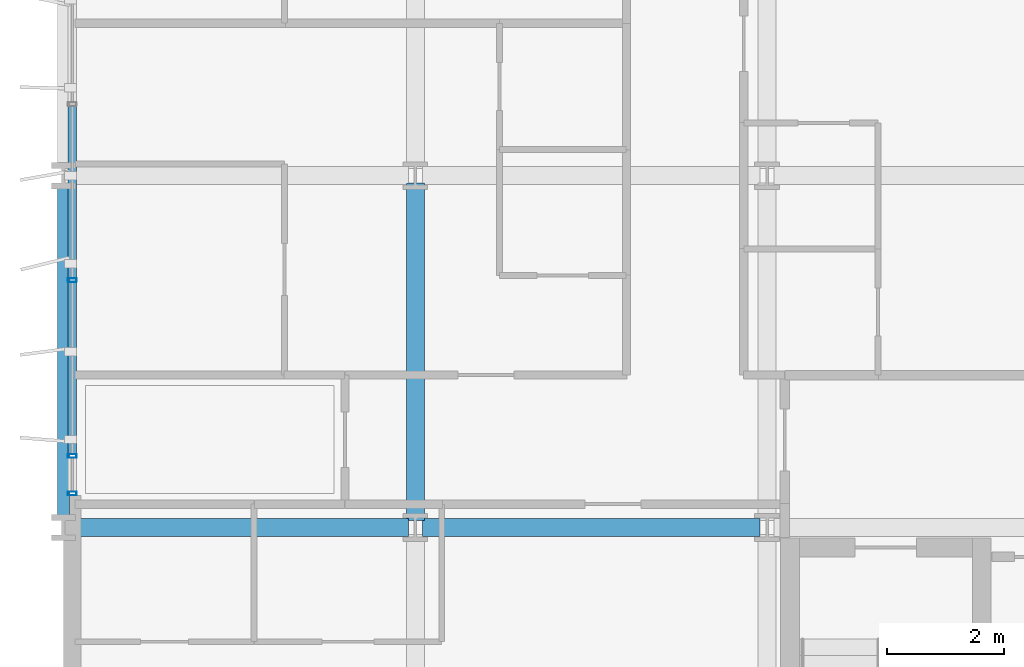
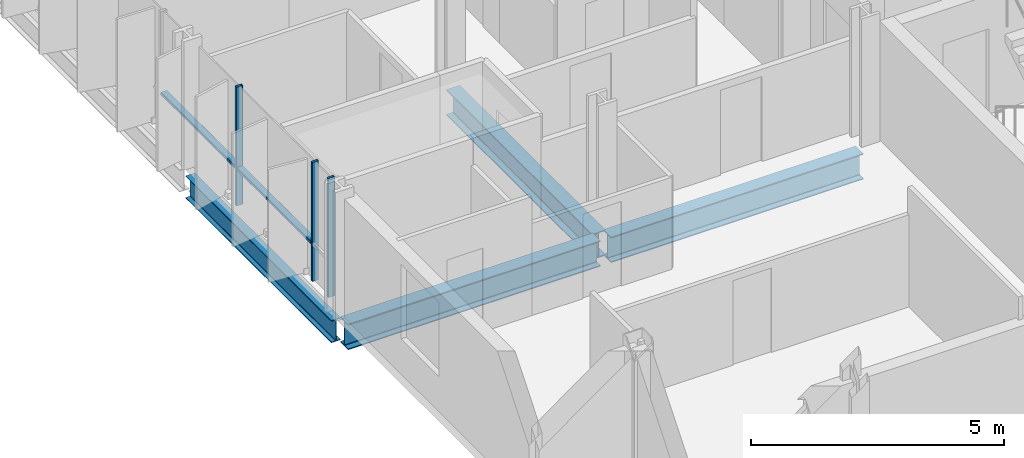
# One storey, part 2 of 39: 5 members, 4 beams, 1 element without a shape of its own.
"""IFC4 building model written with IfcOpenShell, lengths in metres."""

from ifc_helpers import new_model, si_unit, direction, frame, origin, origin_2d, place, context, subcontext, project, spatial, hollow_rectangle, i_section, extrude, material, layer, layer_set, material_profile, profile_set, type_object, element, aggregate, save


model = new_model("IFC4")

# Units and contexts
model_context = context("Model", 3, precision=1e-05, world=origin(), true_north=direction((0.0, 1.0)))
body_context = subcontext(model_context, "Body", "Model", "MODEL_VIEW")
ifc_project = project(units=[si_unit("LENGTHUNIT", "METRE"), si_unit("AREAUNIT", "SQUARE_METRE"), si_unit("VOLUMEUNIT", "CUBIC_METRE"), si_unit("PLANEANGLEUNIT", "RADIAN"), si_unit("MASSUNIT", "GRAM", prefix="KILO")], contexts=[model_context])

# Site, building, storey
site_placement = place(None, origin())
site = spatial("IfcSite", under=ifc_project, at=site_placement, CompositionType="ELEMENT")
building_placement = place(site_placement, origin())
building = spatial("IfcBuilding", under=site, at=building_placement, Name="Brevholm Reach", CompositionType="ELEMENT")
storey_placement = place(building_placement, frame((0.0, 0.0, 34.199951171875)))
storey = spatial("IfcBuildingStorey", under=building, at=storey_placement, Name="L08", CompositionType="ELEMENT", Elevation=34.199951171875)

# Beams
ifc_material_1 = material(Name="Structural Steel S355J2", Category="steel")
ifc_material_profile_1 = material_profile(ifc_material_1, i_section(OverallWidth=0.210693359375, OverallDepth=0.53955078125, WebThickness=0.01171875, FlangeThickness=0.018798828125, FilletRadius=0.0126953125, at=origin_2d()), Name="UKB 533x210x109")
ifc_profile_set_1 = profile_set([ifc_material_profile_1], Name="Structural Steel S355J2")
beam_type_1 = type_object("IfcBeamType", Name="BM-SP539", PredefinedType="SPANDREL", material=ifc_profile_set_1)
beam_placement = place(storey_placement, frame((0.0, 10.1201171875, -0.499755859375), z_axis=(0.0, 1.0, 0.0), x_axis=(-1.0, 0.0, 0.0)))
element("IfcBeam", 1, at=beam_placement, inside=storey, type_object=beam_type_1, Name="L08 SP-01B Framing Beam", PredefinedType="SPANDREL", context=body_context, shape_type="SweptSolid", body=[
    extrude(i_section(OverallWidth=0.210693359375, OverallDepth=0.53955078125, WebThickness=0.01171875, FlangeThickness=0.018798828125, FilletRadius=0.0126953125, at=origin_2d()), origin(), (0.0, 0.0, 1.0), 5.759765625),
])
ifc_material_2 = material(Name="Structural Steel S355J2", Category="steel")
ifc_material_profile_2 = material_profile(ifc_material_2, i_section(OverallWidth=0.30712890625, OverallDepth=0.6201171875, WebThickness=0.01416015625, FlangeThickness=0.023681640625, FilletRadius=0.0166015625, at=origin_2d()), Name="UKB 610x305x179")
ifc_profile_set_2 = profile_set([ifc_material_profile_2], Name="Structural Steel S355J2")
beam_type_2 = type_object("IfcBeamType", Name="BM-UKB610H", PredefinedType="USERDEFINED", material=ifc_profile_set_2)
for number, where, z_axis, x_axis, name in (
    (2, (0.1201171875, 10.0, -0.5400390625), (1.0, 0.0, 0.0), (0.0, 1.0, 0.0), "L08 G-06 Framing Beam"),
    (3, (6.1201171875, 10.0, -0.5400390625), (1.0, 0.0, 0.0), (0.0, 1.0, 0.0), "L08 G-06 Framing Beam"),
    (4, (6.0, 10.1201171875, -0.5400390625), (0.0, 1.0, 0.0), (-1.0, 0.0, 0.0), "L08 G-06 Framing Beam"),
):
    element("IfcBeam", number, at=place(storey_placement, frame(where, z_axis=z_axis, x_axis=x_axis)), inside=storey, type_object=beam_type_2, Name=name, ObjectType="GIRDER", PredefinedType="USERDEFINED", context=body_context, shape_type="SweptSolid", body=[
        extrude(i_section(OverallWidth=0.30712890625, OverallDepth=0.6201171875, WebThickness=0.01416015625, FlangeThickness=0.023681640625, FilletRadius=0.0166015625, at=origin_2d()), origin(), (0.0, 0.0, 1.0), 5.759765625),
    ])

# Curtain wall, members
ifc_material_3 = material(Name="Dark Anodised Aluminium 6063-T6 and Solar-Control Glass", Category="aluminium")
ifc_layer = layer(ifc_material_3, 0.14990234375)
ifc_layer_set = layer_set([ifc_layer], Name="Dark Anodised Aluminium 6063-T6 and Solar-Control Glass")
curtain_wall_type = type_object("IfcCurtainWallType", Name="CW-01", PredefinedType="NOTDEFINED", material=ifc_layer_set)
curtain_wall_placement = place(storey_placement, origin())
curtain_wall = element("IfcCurtainWall", 5, at=curtain_wall_placement, inside=storey, type_object=curtain_wall_type, Name="L08 Curtain Wall CW-01", PredefinedType="NOTDEFINED")
ifc_material_4 = material(Name="Dark Anodised Aluminium 6063-T6", Category="aluminium")
ifc_material_profile_3 = material_profile(ifc_material_4, hollow_rectangle(XDim=0.06494140625, YDim=0.14990234375, WallThickness=0.0048828125, InnerFilletRadius=0.0048828125, OuterFilletRadius=0.010009765625, at=origin_2d()), Name="RHS 150x65x5")
ifc_profile_set_3 = profile_set([ifc_material_profile_3], Name="Dark Anodised Aluminium 6063-T6")
member_type_1 = type_object("IfcMemberType", Name="CWM-150", PredefinedType="MULLION", material=ifc_profile_set_3)
member_1_placement = place(storey_placement, frame((0.14990234375, 14.219970703125, 0.0), z_axis=(0.0, 0.0, 1.0), x_axis=(0.0, -1.0, 0.0)))
member_1 = element("IfcMember", 6, at=member_1_placement, type_object=member_type_1, Name="CM-150 Mullion 4", PredefinedType="MULLION", context=body_context, shape_type="SweptSolid", body=[
    extrude(hollow_rectangle(XDim=0.06494140625, YDim=0.14990234375, WallThickness=0.0048828125, InnerFilletRadius=0.0048828125, OuterFilletRadius=0.010009765625, at=origin_2d()), origin(), (0.0, 0.0, 1.0), 2.8701171875),
])
member_2_placement = place(storey_placement, frame((0.14990234375, 11.219970703125, 0.0), z_axis=(0.0, 0.0, 1.0), x_axis=(0.0, -1.0, 0.0)))
member_2 = element("IfcMember", 7, at=member_2_placement, type_object=member_type_1, Name="CM-150 Mullion 5", PredefinedType="MULLION", context=body_context, shape_type="SweptSolid", body=[
    extrude(hollow_rectangle(XDim=0.06494140625, YDim=0.14990234375, WallThickness=0.0048828125, InnerFilletRadius=0.0048828125, OuterFilletRadius=0.010009765625, at=origin_2d()), origin(), (0.0, 0.0, 1.0), 2.8701171875),
])
member_3_placement = place(storey_placement, frame((0.14990234375, 10.58251953125, 0.0), z_axis=(0.0, 0.0, 1.0), x_axis=(0.0, -1.0, 0.0)))
member_3 = element("IfcMember", 8, at=member_3_placement, type_object=member_type_1, Name="CM-150 Mullion 6", PredefinedType="MULLION", context=body_context, shape_type="SweptSolid", body=[
    extrude(hollow_rectangle(XDim=0.06494140625, YDim=0.14990234375, WallThickness=0.0048828125, InnerFilletRadius=0.0048828125, OuterFilletRadius=0.010009765625, at=origin_2d()), origin(), (0.0, 0.0, 1.0), 2.8701171875),
])
ifc_material_5 = material(Name="Dark Anodised Aluminium 6063-T6", Category="aluminium")
ifc_material_profile_4 = material_profile(ifc_material_5, hollow_rectangle(XDim=0.06494140625, YDim=0.14990234375, WallThickness=0.0048828125, InnerFilletRadius=0.0048828125, OuterFilletRadius=0.010009765625, at=origin_2d()), Name="RHS 150x65x5")
ifc_profile_set_4 = profile_set([ifc_material_profile_4], Name="Dark Anodised Aluminium 6063-T6")
member_type_2 = type_object("IfcMemberType", Name="CWT-150", PredefinedType="NOTDEFINED", material=ifc_profile_set_4)
member_4_placement = place(storey_placement, frame((0.14990234375, 17.1875, 0.900146484375), z_axis=(0.0, -1.0, 0.0), x_axis=(0.0, 0.0, 1.0)))
member_4 = element("IfcMember", 9, at=member_4_placement, type_object=member_type_2, Name="CT-150 Transom 3.1", ObjectType="TRANSOM", PredefinedType="USERDEFINED", context=body_context, shape_type="SweptSolid", body=[
    extrude(hollow_rectangle(XDim=0.06494140625, YDim=0.14990234375, WallThickness=0.0048828125, InnerFilletRadius=0.0048828125, OuterFilletRadius=0.010009765625, at=origin_2d()), origin(), (0.0, 0.0, 1.0), 2.93505859375),
])
member_5_placement = place(storey_placement, frame((0.14990234375, 14.1875, 0.900146484375), z_axis=(0.0, -1.0, 0.0), x_axis=(0.0, 0.0, 1.0)))
member_5 = element("IfcMember", 10, at=member_5_placement, type_object=member_type_2, Name="CT-150 Transom 4.1", ObjectType="TRANSOM", PredefinedType="USERDEFINED", context=body_context, shape_type="SweptSolid", body=[
    extrude(hollow_rectangle(XDim=0.06494140625, YDim=0.14990234375, WallThickness=0.0048828125, InnerFilletRadius=0.0048828125, OuterFilletRadius=0.010009765625, at=origin_2d()), origin(), (0.0, 0.0, 1.0), 2.93505859375),
])
aggregate(curtain_wall, [member_1, member_2, member_3, member_4, member_5])

save(model, "model.ifc")
